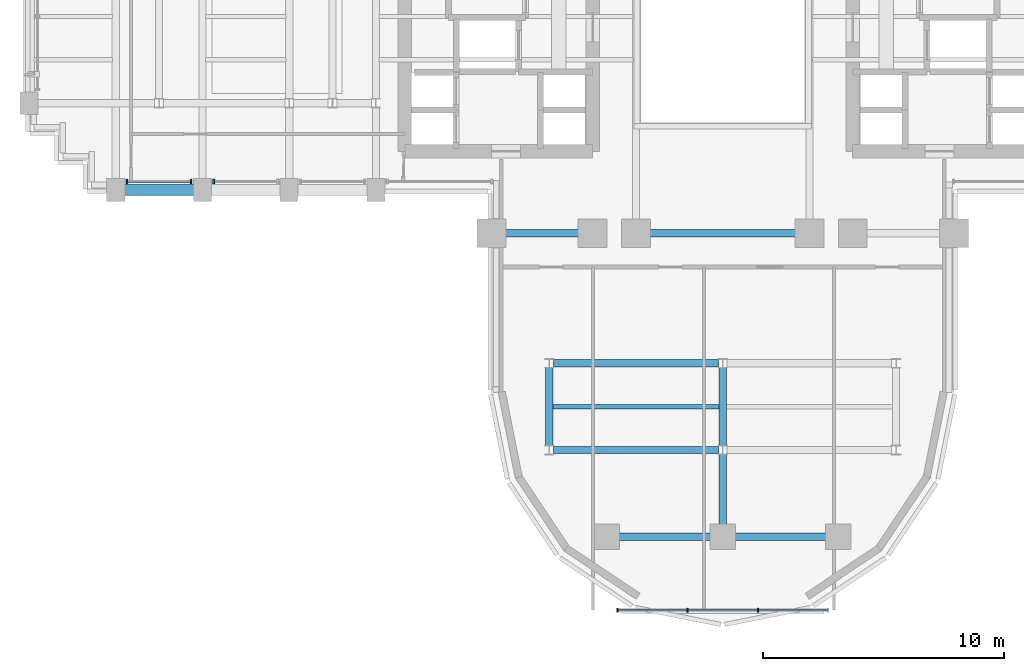
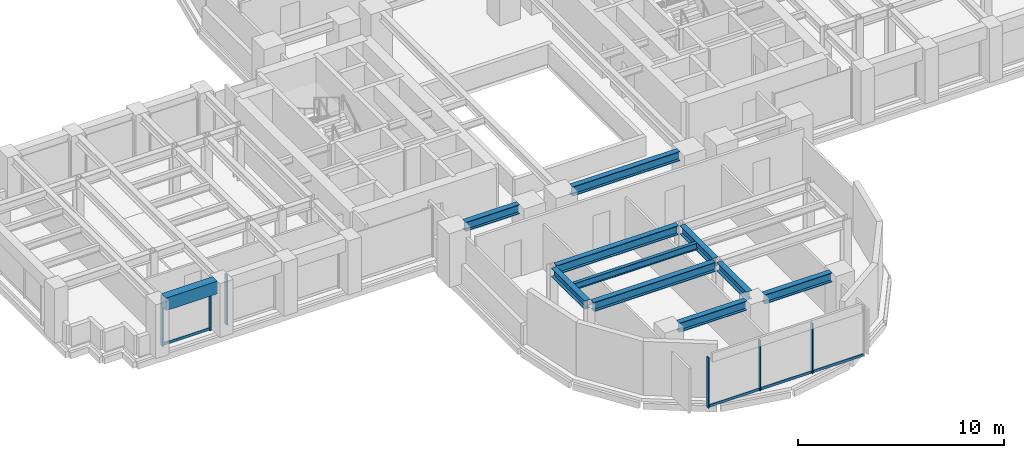
# One storey, part 3 of 16: 11 beams, 10 members, 3 elements without a shape of their own.
"""IFC4 building model written with IfcOpenShell, lengths in metres."""

import ifcopenshell
import ifcopenshell.guid

model = None  # the IFC model being written
_history = None  # IfcOwnerHistory: only IFC2X3 demands one
_inside = {}  # id of a spatial element -> (the spatial element, [elements in it])
_under = {}  # id of a project, library or spatial element -> (it, [spatial elements below it])
_declared = {}  # id of a project -> (the project, [libraries it declares])
_typed = {}  # id of a type object -> (the type object, [elements of that type])
_made_of = {}  # id of a material, layer set ... -> (it, [elements and type objects made of it])


def new_model(schema):
    """Start an empty IFC model of exactly this schema.

    Asked for "IFC4X3", IfcOpenShell would pick the latest addendum, in which some entities
    have other attributes; the version numbers below select the first issue.
    IFC2X3 requires an IfcOwnerHistory on every rooted entity: one is made here for all.
    """
    global model, _history
    if schema == "IFC4X3":
        model = ifcopenshell.file(schema_version=(4, 3, 0, 0))
    else:
        model = ifcopenshell.file(schema=schema)
    _inside.clear()
    _under.clear()
    _declared.clear()
    _typed.clear()
    _made_of.clear()
    _history = None
    if model.schema == "IFC2X3":
        org = make("IfcOrganization", Name="unknown")
        user = make(
            "IfcPersonAndOrganization",
            ThePerson=make("IfcPerson", FamilyName="unknown"),
            TheOrganization=org,
        )
        app = make(
            "IfcApplication",
            ApplicationDeveloper=org,
            Version="unknown",
            ApplicationFullName="unknown",
            ApplicationIdentifier="unknown",
        )
        _history = make(
            "IfcOwnerHistory",
            OwningUser=user,
            OwningApplication=app,
            ChangeAction="ADDED",
            CreationDate=0,
        )
    return model


def make(cls, **values):
    """One entity of the class cls with the attributes given. An attribute that is None is left unset."""
    return model.create_entity(
        cls, **{name: value for name, value in values.items() if value is not None}
    )


def rooted(cls, **values):
    """An entity with a GlobalId (a new one), such as an element, a storey or a relation."""
    return make(cls, GlobalId=ifcopenshell.guid.new(), OwnerHistory=_history, **values)


def si_unit(unit_type, name, prefix=None):
    """IfcSIUnit, for example si_unit("LENGTHUNIT", "METRE", prefix="MILLI")."""
    return make("IfcSIUnit", UnitType=unit_type, Prefix=prefix, Name=name)


def assignment(units):
    """IfcUnitAssignment: the units of a project."""
    return None if units is None else make("IfcUnitAssignment", Units=units)


def point(xyz):
    """IfcCartesianPoint."""
    return None if xyz is None else make("IfcCartesianPoint", Coordinates=xyz)


def direction(xyz):
    """IfcDirection."""
    return None if xyz is None else make("IfcDirection", DirectionRatios=xyz)


def frame(location, z_axis=None, x_axis=None):
    """IfcAxis2Placement3D, a coordinate frame: its origin and axes. An axis left out is left unset."""
    return make(
        "IfcAxis2Placement3D",
        Location=point(location),
        Axis=direction(z_axis),
        RefDirection=direction(x_axis),
    )


def frame_2d(location, x_axis=None):
    """IfcAxis2Placement2D, a coordinate frame in the plane: its origin and x axis."""
    return make(
        "IfcAxis2Placement2D", Location=point(location), RefDirection=direction(x_axis)
    )


def origin():
    """The frame at (0, 0, 0) with its axes left unset."""
    return frame((0.0, 0.0, 0.0))


def origin_2d():
    """The frame at (0, 0) in the plane with its x axis left unset."""
    return frame_2d((0.0, 0.0))


def place(relative_to, where):
    """IfcLocalPlacement: puts the frame where relative to a parent placement (None: the world)."""
    return make(
        "IfcLocalPlacement", PlacementRelTo=relative_to, RelativePlacement=where
    )


def context(
    kind, dimensions, precision=None, world=None, true_north=None, identifier=None
):
    """IfcGeometricRepresentationContext, for example the 3D "Model" context."""
    return make(
        "IfcGeometricRepresentationContext",
        ContextIdentifier=identifier,
        ContextType=kind,
        CoordinateSpaceDimension=dimensions,
        Precision=precision,
        WorldCoordinateSystem=world,
        TrueNorth=true_north,
    )


def subcontext(parent, identifier, kind, view, scale=None):
    """IfcGeometricRepresentationSubContext, for example "Body" below "Model"."""
    return make(
        "IfcGeometricRepresentationSubContext",
        ContextIdentifier=identifier,
        ContextType=kind,
        ParentContext=parent,
        TargetScale=scale,
        TargetView=view,
    )


def project(units=None, contexts=None):
    """IfcProject with its units and contexts."""
    return rooted(
        "IfcProject",
        Name="project",
        RepresentationContexts=contexts,
        UnitsInContext=assignment(units),
    )


def spatial(cls, under=None, at=None, **own):
    """A site, building, storey or space (cls), placed at a placement, below another one or the project."""
    s = rooted(cls, ObjectPlacement=at, **own)
    if under is not None:
        _under.setdefault(under.id(), (under, []))[1].append(s)
    return s


def profile(cls, at=None, kind="AREA", **sizes):
    """A parametric profile (cls). Its sizes go by their IFC names, for example OverallWidth=200.0."""
    return make(cls, ProfileType=kind, Position=at, **sizes)


def rectangle(**sizes):
    """IfcRectangleProfileDef."""
    return profile("IfcRectangleProfileDef", **sizes)


def i_section(**sizes):
    """IfcIShapeProfileDef."""
    return profile("IfcIShapeProfileDef", **sizes)


def extrude(swept, where, along, depth):
    """IfcExtrudedAreaSolid: the profile swept, set in the frame where, extruded along a direction by depth."""
    return make(
        "IfcExtrudedAreaSolid",
        SweptArea=swept,
        Position=where,
        ExtrudedDirection=direction(along),
        Depth=depth,
    )


def shape(context_of_items, identifier, shape_type, items):
    """IfcShapeRepresentation: the items that make up one representation, for example the "Body"."""
    return make(
        "IfcShapeRepresentation",
        ContextOfItems=context_of_items,
        RepresentationIdentifier=identifier,
        RepresentationType=shape_type,
        Items=items,
    )


def source(mapping_origin, context_of_items, identifier, shape_type, items):
    """IfcRepresentationMap: a shape defined once, which mapped items show again and again."""
    return make(
        "IfcRepresentationMap",
        MappingOrigin=mapping_origin,
        MappedRepresentation=shape(context_of_items, identifier, shape_type, items),
    )


def transform(
    local_origin,
    x_axis=None,
    y_axis=None,
    z_axis=None,
    scale=None,
    scale2=None,
    scale3=None,
    uniform=True,
):
    """IfcCartesianTransformationOperator3D, or its non-uniform kind. x_axis, y_axis, z_axis: its Axis1, 2, 3."""
    if uniform:
        return make(
            "IfcCartesianTransformationOperator3D",
            Axis1=direction(x_axis),
            Axis2=direction(y_axis),
            LocalOrigin=point(local_origin),
            Scale=scale,
            Axis3=direction(z_axis),
        )
    return make(
        "IfcCartesianTransformationOperator3DnonUniform",
        Axis1=direction(x_axis),
        Axis2=direction(y_axis),
        LocalOrigin=point(local_origin),
        Scale=scale,
        Axis3=direction(z_axis),
        Scale2=scale2,
        Scale3=scale3,
    )


def mapped(mapping_source, mapping_target):
    """IfcMappedItem: shows the shape of a source again, moved by a transform."""
    return make(
        "IfcMappedItem", MappingSource=mapping_source, MappingTarget=mapping_target
    )


def material(Name=None, Category=None):
    """IfcMaterial."""
    return make("IfcMaterial", Name=Name, Category=Category)


def material_profile(
    of_material, cross_section, Name=None, Category=None, Priority=None
):
    """IfcMaterialProfile: a cross section and its material."""
    return make(
        "IfcMaterialProfile",
        Name=Name,
        Material=of_material,
        Profile=cross_section,
        Priority=Priority,
        Category=Category,
    )


def profile_set(profiles, Name=None, composite=None):
    """IfcMaterialProfileSet."""
    return make(
        "IfcMaterialProfileSet",
        Name=Name,
        MaterialProfiles=profiles,
        CompositeProfile=composite,
    )


def made_of(thing, what):
    """Note that an element or type object is made of a material, layer set ...; save() writes the relation."""
    if what is not None:
        _made_of.setdefault(what.id(), (what, []))[1].append(thing)
    return thing


def type_object(cls, material=None, **own):
    """A type object (cls), such as IfcWallType, which elements share."""
    return made_of(rooted(cls, **own), material)


def element(
    cls,
    number,
    at=None,
    inside=None,
    cuts=None,
    type_object=None,
    material=None,
    context=None,
    identifier="Body",
    shape_type=None,
    held_by="IfcProductDefinitionShape",
    body=None,
    shapes=None,
    **own,
):
    """One element of the class cls, such as IfcWall. Its Tag is "e" and its number.

    at: its placement. inside: the storey or other place that contains it. cuts: it is an
    opening in that element (IfcRelVoidsElement). A single representation is given by context,
    identifier, shape_type and body (its items); several are given by shapes. held_by: the class
    of the entity that holds the representations. save() writes the other relations.
    """
    e = rooted(cls, Tag="e%d" % number, ObjectPlacement=at, **own)
    if body is not None:
        shapes = [shape(context, identifier, shape_type, body)]
    if shapes is not None:
        e.Representation = make(held_by, Representations=shapes)
    if inside is not None:
        _inside.setdefault(inside.id(), (inside, []))[1].append(e)
    if cuts is not None:
        rooted(
            "IfcRelVoidsElement", RelatingBuildingElement=cuts, RelatedOpeningElement=e
        )
    if type_object is not None:
        _typed.setdefault(type_object.id(), (type_object, []))[1].append(e)
    return made_of(e, material)


def aggregate(whole, parts):
    """IfcRelAggregates: a whole, such as a stair, and the parts it consists of."""
    return rooted("IfcRelAggregates", RelatingObject=whole, RelatedObjects=parts)


def save(model, path):
    """Write the relations noted so far, then the file.

    IfcRelAggregates (storeys below a building ...), IfcRelContainedInSpatialStructure (elements
    in a storey), IfcRelDefinesByType, IfcRelAssociatesMaterial and IfcRelDeclares: one each for
    every whole, place, type object, material and project.
    """
    for whole, parts in _under.values():
        aggregate(whole, parts)
    for where, things in _inside.values():
        rooted(
            "IfcRelContainedInSpatialStructure",
            RelatedElements=things,
            RelatingStructure=where,
        )
    for kind, things in _typed.values():
        rooted("IfcRelDefinesByType", RelatedObjects=things, RelatingType=kind)
    for what, things in _made_of.values():
        rooted("IfcRelAssociatesMaterial", RelatedObjects=things, RelatingMaterial=what)
    for by, libraries in _declared.values():
        rooted("IfcRelDeclares", RelatingContext=by, RelatedDefinitions=libraries)
    model.write(path)


model = new_model("IFC4")

# Units and contexts
model_context = context("Model", 3, precision=1e-05, world=origin(), true_north=direction((0.0, 1.0)))
body_context = subcontext(model_context, "Body", "Model", "MODEL_VIEW")
ifc_project = project(units=[si_unit("LENGTHUNIT", "METRE"), si_unit("AREAUNIT", "SQUARE_METRE"), si_unit("VOLUMEUNIT", "CUBIC_METRE"), si_unit("PLANEANGLEUNIT", "RADIAN"), si_unit("MASSUNIT", "GRAM", prefix="KILO")], contexts=[model_context])

# Site, building, storey
site_placement = place(None, origin())
site = spatial("IfcSite", under=ifc_project, at=site_placement, CompositionType="ELEMENT")
building_placement = place(site_placement, origin())
building = spatial("IfcBuilding", under=site, at=building_placement, Name="Keilestroom Media Tower", CompositionType="ELEMENT")
storey_placement = place(building_placement, frame((0.0, 0.0, 71.39990234375)))
storey = spatial("IfcBuildingStorey", under=building, at=storey_placement, Name="L18", CompositionType="ELEMENT", Elevation=71.39990234375)

# Beams
ifc_material_1 = material(Name="Steel S355", Category="steel")
ifc_material_profile_1 = material_profile(ifc_material_1, i_section(OverallWidth=0.300048828125, OverallDepth=0.550048828125, WebThickness=0.012939453125, FlangeThickness=0.029052734375, at=origin_2d()), Name="HEB 550")
ifc_profile_set_1 = profile_set([ifc_material_profile_1], Name="Steel S355")
beam_type_1 = type_object("IfcBeamType", Name="Primary-Structural-Girder-HEB-550", PredefinedType="BEAM", material=ifc_profile_set_1)
shared_shape_1 = source(origin(), body_context, "Body", "SweptSolid", [
    extrude(i_section(OverallWidth=0.300048828125, OverallDepth=0.550048828125, WebThickness=0.012939453125, FlangeThickness=0.029052734375, at=origin_2d()), origin(), (0.0, 0.0, 1.0), 3.7900390625),
])
for number, where, z_axis, x_axis, name in (
    (1, (-4.294921875, -21.60009765625, 2.925048828125), (1.0, 0.0, 0.0), (0.0, 1.0, 0.0), "L18 Beam BG-5 BM-L18-EW-001"),
    (2, (0.5048828125, -21.60009765625, 2.925048828125), (1.0, 0.0, 0.0), (0.0, 1.0, 0.0), "L18 Beam BG-5 BM-L18-EW-002"),
):
    element("IfcBeam", number, at=place(storey_placement, frame(where, z_axis=z_axis, x_axis=x_axis)), inside=storey, type_object=beam_type_1, Name=name, PredefinedType="BEAM", context=body_context, shape_type="MappedRepresentation", body=[
        mapped(shared_shape_1, transform((0.0, 0.0, 0.0), x_axis=(1.0, 0.0, 0.0), y_axis=(0.0, 1.0, 0.0), z_axis=(0.0, 0.0, 1.0), scale=1.0)),
    ])
shared_shape_2 = source(origin(), body_context, "Body", "SweptSolid", [
    extrude(i_section(OverallWidth=0.300048828125, OverallDepth=0.550048828125, WebThickness=0.012939453125, FlangeThickness=0.029052734375, at=origin_2d()), origin(), (0.0, 0.0, 1.0), 6.836181640625),
])
for number, where, z_axis, x_axis, name in (
    (3, (-7.01806640625, -18.0, 2.925048828125), (1.0, 0.0, 0.0), (0.0, 1.0, 0.0), "L18 Beam BG-5 BM-L18-EW-003"),
    (4, (-7.01806640625, -14.39990234375, 2.925048828125), (1.0, 0.0, 0.0), (0.0, 1.0, 0.0), "L18 Beam BG-5 BM-L18-EW-005"),
):
    element("IfcBeam", number, at=place(storey_placement, frame(where, z_axis=z_axis, x_axis=x_axis)), inside=storey, type_object=beam_type_1, Name=name, PredefinedType="BEAM", context=body_context, shape_type="MappedRepresentation", body=[
        mapped(shared_shape_2, transform((0.0, 0.0, 0.0), x_axis=(1.0, 0.0, 0.0), y_axis=(0.0, 1.0, 0.0), z_axis=(0.0, 0.0, 1.0), scale=1.0)),
    ])
shared_shape_3 = source(origin(), body_context, "Body", "SweptSolid", [
    extrude(i_section(OverallWidth=0.300048828125, OverallDepth=0.550048828125, WebThickness=0.012939453125, FlangeThickness=0.029052734375, at=origin_2d()), origin(), (0.0, 0.0, 1.0), 3.0400390625),
])
beam_1_placement = place(storey_placement, frame((-9.02001953125, -9.0, 2.925048828125), z_axis=(1.0, 0.0, 0.0), x_axis=(0.0, 1.0, 0.0)))
element("IfcBeam", 5, at=beam_1_placement, inside=storey, type_object=beam_type_1, Name="L18 Beam BG-5 BM-L18-EW-007", PredefinedType="BEAM", context=body_context, shape_type="MappedRepresentation", body=[
    mapped(shared_shape_3, transform((0.0, 0.0, 0.0), x_axis=(1.0, 0.0, 0.0), y_axis=(0.0, 1.0, 0.0), z_axis=(0.0, 0.0, 1.0), scale=1.0)),
])
shared_shape_4 = source(origin(), body_context, "Body", "SweptSolid", [
    extrude(i_section(OverallWidth=0.300048828125, OverallDepth=0.550048828125, WebThickness=0.012939453125, FlangeThickness=0.029052734375, at=origin_2d()), origin(), (0.0, 0.0, 1.0), 6.0400390625),
])
beam_2_placement = place(storey_placement, frame((-3.02001953125, -9.0, 2.925048828125), z_axis=(1.0, 0.0, 0.0), x_axis=(0.0, 1.0, 0.0)))
element("IfcBeam", 6, at=beam_2_placement, inside=storey, type_object=beam_type_1, Name="L18 Beam BG-5 BM-L18-EW-009", PredefinedType="BEAM", context=body_context, shape_type="MappedRepresentation", body=[
    mapped(shared_shape_4, transform((0.0, 0.0, 0.0), x_axis=(1.0, 0.0, 0.0), y_axis=(0.0, 1.0, 0.0), z_axis=(0.0, 0.0, 1.0), scale=1.0)),
])
ifc_material_2 = material(Name="Precast concrete C40/50", Category="concrete")
ifc_material_profile_2 = material_profile(ifc_material_2, rectangle(XDim=0.449951171875, YDim=0.75, at=origin_2d()), Name="PC 450x750")
ifc_profile_set_2 = profile_set([ifc_material_profile_2], Name="Precast concrete C40/50")
beam_type_2 = type_object("IfcBeamType", Name="Perimeter-Spandrel-Beam-PC-450x750", PredefinedType="SPANDREL", material=ifc_profile_set_2)
shared_shape_5 = source(origin(), body_context, "Body", "SweptSolid", [
    extrude(rectangle(XDim=0.449951171875, YDim=0.75, at=origin_2d()), origin(), (0.0, 0.0, 1.0), 2.889892578125),
])
beam_3_placement = place(storey_placement, frame((-24.844970703125, -7.199951171875, 2.8251953125), z_axis=(1.0, 0.0, 0.0), x_axis=(0.0, 1.0, 0.0)))
element("IfcBeam", 7, at=beam_3_placement, inside=storey, type_object=beam_type_2, Name="L18 Beam SPB-1 BM-L18-EW-012", PredefinedType="SPANDREL", context=body_context, shape_type="MappedRepresentation", body=[
    mapped(shared_shape_5, transform((0.0, 0.0, 0.0), x_axis=(1.0, 0.0, 0.0), y_axis=(0.0, 1.0, 0.0), z_axis=(0.0, 0.0, 1.0), scale=1.0)),
])
ifc_material_profile_3 = material_profile(ifc_material_1, i_section(OverallWidth=0.300048828125, OverallDepth=0.5, WebThickness=0.012451171875, FlangeThickness=0.028076171875, at=origin_2d()), Name="HEB 500")
ifc_profile_set_3 = profile_set([ifc_material_profile_3], Name="Steel S355")
beam_type_3 = type_object("IfcBeamType", Name="Primary-Structural-Girder-HEB-500", PredefinedType="BEAM", material=ifc_profile_set_3)
shared_shape_6 = source(origin(), body_context, "Body", "SweptSolid", [
    extrude(i_section(OverallWidth=0.300048828125, OverallDepth=0.5, WebThickness=0.012451171875, FlangeThickness=0.028076171875, at=origin_2d()), origin(), (0.0, 0.0, 1.0), 3.23291015625),
])
for number, where, z_axis, x_axis, name in (
    (8, (-7.199951171875, -17.81640625, 2.9501953125), (0.0, 1.0, 0.0), (-1.0, 0.0, 0.0), "L18 Beam BG-6 BM-L18-NS-063"),
    (9, (0.0, -17.81640625, 2.9501953125), (0.0, 1.0, 0.0), (-1.0, 0.0, 0.0), "L18 Beam BG-6 BM-L18-NS-068"),
):
    element("IfcBeam", number, at=place(storey_placement, frame(where, z_axis=z_axis, x_axis=x_axis)), inside=storey, type_object=beam_type_3, Name=name, PredefinedType="BEAM", context=body_context, shape_type="MappedRepresentation", body=[
        mapped(shared_shape_6, transform((0.0, 0.0, 0.0), x_axis=(1.0, 0.0, 0.0), y_axis=(0.0, 1.0, 0.0), z_axis=(0.0, 0.0, 1.0), scale=1.0)),
    ])
shared_shape_7 = source(origin(), body_context, "Body", "SweptSolid", [
    extrude(i_section(OverallWidth=0.300048828125, OverallDepth=0.5, WebThickness=0.012451171875, FlangeThickness=0.028076171875, at=origin_2d()), origin(), (0.0, 0.0, 1.0), 2.911376953125),
])
beam_4_placement = place(storey_placement, frame((0.0, -21.094970703125, 2.9501953125), z_axis=(0.0, 1.0, 0.0), x_axis=(-1.0, 0.0, 0.0)))
element("IfcBeam", 10, at=beam_4_placement, inside=storey, type_object=beam_type_3, Name="L18 Beam BG-6 BM-L18-NS-067", PredefinedType="BEAM", context=body_context, shape_type="MappedRepresentation", body=[
    mapped(shared_shape_7, transform((0.0, 0.0, 0.0), x_axis=(1.0, 0.0, 0.0), y_axis=(0.0, 1.0, 0.0), z_axis=(0.0, 0.0, 1.0), scale=1.0)),
])
ifc_material_profile_4 = material_profile(ifc_material_1, i_section(OverallWidth=0.179931640625, OverallDepth=0.39990234375, WebThickness=0.008544921875, FlangeThickness=0.013427734375, at=origin_2d()), Name="IPE 400")
ifc_profile_set_4 = profile_set([ifc_material_profile_4], Name="Steel S355")
beam_type_4 = type_object("IfcBeamType", Name="Secondary-Floor-Joist-IPE-400", PredefinedType="JOIST", material=ifc_profile_set_4)
shared_shape_8 = source(origin(), body_context, "Body", "SweptSolid", [
    extrude(i_section(OverallWidth=0.179931640625, OverallDepth=0.39990234375, WebThickness=0.008544921875, FlangeThickness=0.013427734375, at=origin_2d()), origin(), (0.0, 0.0, 1.0), 6.940185546875),
])
beam_5_placement = place(storey_placement, frame((-7.070068359375, -16.199951171875, 3.0), z_axis=(1.0, 0.0, 0.0), x_axis=(0.0, 1.0, 0.0)))
element("IfcBeam", 11, at=beam_5_placement, inside=storey, type_object=beam_type_4, Name="L18 Beam BJ-4 JST-L18-087", PredefinedType="JOIST", context=body_context, shape_type="MappedRepresentation", body=[
    mapped(shared_shape_8, transform((0.0, 0.0, 0.0), x_axis=(1.0, 0.0, 0.0), y_axis=(0.0, 1.0, 0.0), z_axis=(0.0, 0.0, 1.0), scale=1.0)),
])

# Curtain wall, members
ifc_material_3 = material(Name="Anodised Aluminium Alloy", Category="aluminium")
curtain_wall_type_1 = type_object("IfcCurtainWallType", Name="Unitised-Curtain-Wall-CW-1", PredefinedType="NOTDEFINED", material=ifc_material_3)
curtain_wall_1_placement = place(storey_placement, origin())
curtain_wall_1 = element("IfcCurtainWall", 12, at=curtain_wall_1_placement, inside=storey, type_object=curtain_wall_type_1, Name="L18 Curtain Wall CW-1 CW-L18-SW-1", PredefinedType="NOTDEFINED")
ifc_material_profile_5 = material_profile(ifc_material_3, rectangle(XDim=0.070068359375, YDim=0.199951171875, at=origin_2d()), Name="ALU MULLION 70x200")
ifc_profile_set_5 = profile_set([ifc_material_profile_5], Name="Anodised Aluminium Alloy")
member_type_1 = type_object("IfcMemberType", Name="Curtain-Wall-Mullion-CW-1", PredefinedType="MULLION", material=ifc_profile_set_5)
shared_shape_9 = source(origin(), body_context, "Body", "SweptSolid", [
    extrude(rectangle(XDim=0.070068359375, YDim=0.199951171875, at=origin_2d()), origin(), (0.0, 0.0, 1.0), 2.97998046875),
])
member_1_placement = place(storey_placement, frame((-24.72998046875, -6.85009765625, 0.0), z_axis=(0.0, 0.0, 1.0), x_axis=(1.0, 0.0, 0.0)))
member_1 = element("IfcMember", 13, at=member_1_placement, type_object=member_type_1, Name="CW-1 Mullion 00", PredefinedType="MULLION", context=body_context, shape_type="MappedRepresentation", body=[
    mapped(shared_shape_9, transform((0.0, 0.0, 0.0), x_axis=(1.0, 0.0, 0.0), y_axis=(0.0, 1.0, 0.0), z_axis=(0.0, 0.0, 1.0), scale=1.0)),
])
member_2_placement = place(storey_placement, frame((-22.070068359375, -6.85009765625, 0.0), z_axis=(0.0, 0.0, 1.0), x_axis=(1.0, 0.0, 0.0)))
member_2 = element("IfcMember", 14, at=member_2_placement, type_object=member_type_1, Name="CW-1 Mullion 01", PredefinedType="MULLION", context=body_context, shape_type="MappedRepresentation", body=[
    mapped(shared_shape_9, transform((0.0, 0.0, 0.0), x_axis=(1.0, 0.0, 0.0), y_axis=(0.0, 1.0, 0.0), z_axis=(0.0, 0.0, 1.0), scale=1.0)),
])

# Curtain wall, member
curtain_wall_2_placement = place(storey_placement, origin())
curtain_wall_2 = element("IfcCurtainWall", 15, at=curtain_wall_2_placement, inside=storey, type_object=curtain_wall_type_1, Name="L18 Curtain Wall CW-1 CW-L18-SW-2", PredefinedType="NOTDEFINED")
member_3_placement = place(storey_placement, frame((-21.1298828125, -6.85009765625, 0.0), z_axis=(0.0, 0.0, 1.0), x_axis=(1.0, 0.0, 0.0)))
member_3 = element("IfcMember", 16, at=member_3_placement, type_object=member_type_1, Name="CW-1 Mullion 00", PredefinedType="MULLION", context=body_context, shape_type="MappedRepresentation", body=[
    mapped(shared_shape_9, transform((0.0, 0.0, 0.0), x_axis=(1.0, 0.0, 0.0), y_axis=(0.0, 1.0, 0.0), z_axis=(0.0, 0.0, 1.0), scale=1.0)),
])
aggregate(curtain_wall_2, [member_3])

# Member
ifc_material_profile_6 = material_profile(ifc_material_3, rectangle(XDim=0.06494140625, YDim=0.14990234375, at=origin_2d()), Name="ALU TRANSOM 65x150")
ifc_profile_set_6 = profile_set([ifc_material_profile_6], Name="Anodised Aluminium Alloy")
member_type_2 = type_object("IfcMemberType", Name="Curtain-Wall-Transom-CW-1", PredefinedType="USERDEFINED", material=ifc_profile_set_6)
shared_shape_10 = source(origin(), body_context, "Body", "SweptSolid", [
    extrude(rectangle(XDim=0.06494140625, YDim=0.14990234375, at=origin_2d()), origin(), (0.0, 0.0, 1.0), 2.593994140625),
])
member_4_placement = place(storey_placement, frame((-24.697021484375, -6.85009765625, 0.0751953125), z_axis=(1.0, 0.0, 0.0), x_axis=(0.0, 1.0, 0.0)))
member_4 = element("IfcMember", 17, at=member_4_placement, type_object=member_type_2, Name="CW-1 Transom 00.1", ObjectType="TRANSOM", PredefinedType="USERDEFINED", context=body_context, shape_type="MappedRepresentation", body=[
    mapped(shared_shape_10, transform((0.0, 0.0, 0.0), x_axis=(1.0, 0.0, 0.0), y_axis=(0.0, 1.0, 0.0), z_axis=(0.0, 0.0, 1.0), scale=1.0)),
])

aggregate(curtain_wall_1, [member_1, member_2, member_4])

# Curtain wall, members
curtain_wall_type_2 = type_object("IfcCurtainWallType", Name="Unitised-Curtain-Wall-CW-6", PredefinedType="NOTDEFINED", material=ifc_material_3)
curtain_wall_3_placement = place(storey_placement, origin())
curtain_wall_3 = element("IfcCurtainWall", 18, at=curtain_wall_3_placement, inside=storey, type_object=curtain_wall_type_2, Name="L18 Curtain Wall CW-6 CW-L18-LS-1", PredefinedType="NOTDEFINED")
ifc_material_profile_7 = material_profile(ifc_material_3, rectangle(XDim=0.06494140625, YDim=0.179931640625, at=origin_2d()), Name="ALU MULLION 65x180")
ifc_profile_set_7 = profile_set([ifc_material_profile_7], Name="Anodised Aluminium Alloy")
member_type_3 = type_object("IfcMemberType", Name="Curtain-Wall-Mullion-CW-6", PredefinedType="MULLION", material=ifc_profile_set_7)
shared_shape_11 = source(origin(), body_context, "Body", "SweptSolid", [
    extrude(rectangle(XDim=0.06494140625, YDim=0.179931640625, at=origin_2d()), origin(), (0.0, 0.0, 1.0), 2.97998046875),
])
member_5_placement = place(storey_placement, frame((-4.367431640625, -24.64990234375, 0.0), z_axis=(0.0, 0.0, 1.0), x_axis=(1.0, 0.0, 0.0)))
member_5 = element("IfcMember", 19, at=member_5_placement, type_object=member_type_3, Name="CW-6 Mullion 00", PredefinedType="MULLION", context=body_context, shape_type="MappedRepresentation", body=[
    mapped(shared_shape_11, transform((0.0, 0.0, 0.0), x_axis=(1.0, 0.0, 0.0), y_axis=(0.0, 1.0, 0.0), z_axis=(0.0, 0.0, 1.0), scale=1.0)),
])
member_6_placement = place(storey_placement, frame((-1.466796875, -24.64990234375, 0.0), z_axis=(0.0, 0.0, 1.0), x_axis=(1.0, 0.0, 0.0)))
member_6 = element("IfcMember", 20, at=member_6_placement, type_object=member_type_3, Name="CW-6 Mullion 01", PredefinedType="MULLION", context=body_context, shape_type="MappedRepresentation", body=[
    mapped(shared_shape_11, transform((0.0, 0.0, 0.0), x_axis=(1.0, 0.0, 0.0), y_axis=(0.0, 1.0, 0.0), z_axis=(0.0, 0.0, 1.0), scale=1.0)),
])
member_7_placement = place(storey_placement, frame((1.466796875, -24.64990234375, 0.0), z_axis=(0.0, 0.0, 1.0), x_axis=(1.0, 0.0, 0.0)))
member_7 = element("IfcMember", 21, at=member_7_placement, type_object=member_type_3, Name="CW-6 Mullion 02", PredefinedType="MULLION", context=body_context, shape_type="MappedRepresentation", body=[
    mapped(shared_shape_11, transform((0.0, 0.0, 0.0), x_axis=(1.0, 0.0, 0.0), y_axis=(0.0, 1.0, 0.0), z_axis=(0.0, 0.0, 1.0), scale=1.0)),
])
ifc_material_profile_8 = material_profile(ifc_material_3, rectangle(XDim=0.06494140625, YDim=0.14990234375, at=origin_2d()), Name="ALU TRANSOM 65x150")
ifc_profile_set_8 = profile_set([ifc_material_profile_8], Name="Anodised Aluminium Alloy")
member_type_4 = type_object("IfcMemberType", Name="Curtain-Wall-Transom-CW-6", PredefinedType="USERDEFINED", material=ifc_profile_set_8)
shared_shape_12 = source(origin(), body_context, "Body", "SweptSolid", [
    extrude(rectangle(XDim=0.06494140625, YDim=0.14990234375, at=origin_2d()), origin(), (0.0, 0.0, 1.0), 2.839599609375),
])
member_8_placement = place(storey_placement, frame((-4.3369140625, -24.64990234375, 0.0751953125), z_axis=(1.0, 0.0, 0.0), x_axis=(0.0, 1.0, 0.0)))
member_8 = element("IfcMember", 22, at=member_8_placement, type_object=member_type_4, Name="CW-6 Transom 00.1", ObjectType="TRANSOM", PredefinedType="USERDEFINED", context=body_context, shape_type="MappedRepresentation", body=[
    mapped(shared_shape_12, transform((0.0, 0.0, 0.0), x_axis=(1.0, 0.0, 0.0), y_axis=(0.0, 1.0, 0.0), z_axis=(0.0, 0.0, 1.0), scale=1.0)),
])
member_9_placement = place(storey_placement, frame((1.497314453125, -24.64990234375, 0.0751953125), z_axis=(1.0, 0.0, 0.0), x_axis=(0.0, 1.0, 0.0)))
member_9 = element("IfcMember", 23, at=member_9_placement, type_object=member_type_4, Name="CW-6 Transom 02.1", ObjectType="TRANSOM", PredefinedType="USERDEFINED", context=body_context, shape_type="MappedRepresentation", body=[
    mapped(shared_shape_12, transform((0.0, 0.0, 0.0), x_axis=(1.0, 0.0, 0.0), y_axis=(0.0, 1.0, 0.0), z_axis=(0.0, 0.0, 1.0), scale=1.0)),
])
shared_shape_13 = source(origin(), body_context, "Body", "SweptSolid", [
    extrude(rectangle(XDim=0.06494140625, YDim=0.14990234375, at=origin_2d()), origin(), (0.0, 0.0, 1.0), 2.87255859375),
])
member_10_placement = place(storey_placement, frame((-1.436279296875, -24.64990234375, 0.0751953125), z_axis=(1.0, 0.0, 0.0), x_axis=(0.0, 1.0, 0.0)))
member_10 = element("IfcMember", 24, at=member_10_placement, type_object=member_type_4, Name="CW-6 Transom 01.1", ObjectType="TRANSOM", PredefinedType="USERDEFINED", context=body_context, shape_type="MappedRepresentation", body=[
    mapped(shared_shape_13, transform((0.0, 0.0, 0.0), x_axis=(1.0, 0.0, 0.0), y_axis=(0.0, 1.0, 0.0), z_axis=(0.0, 0.0, 1.0), scale=1.0)),
])
aggregate(curtain_wall_3, [member_5, member_6, member_7, member_8, member_10, member_9])

save(model, "model.ifc")
